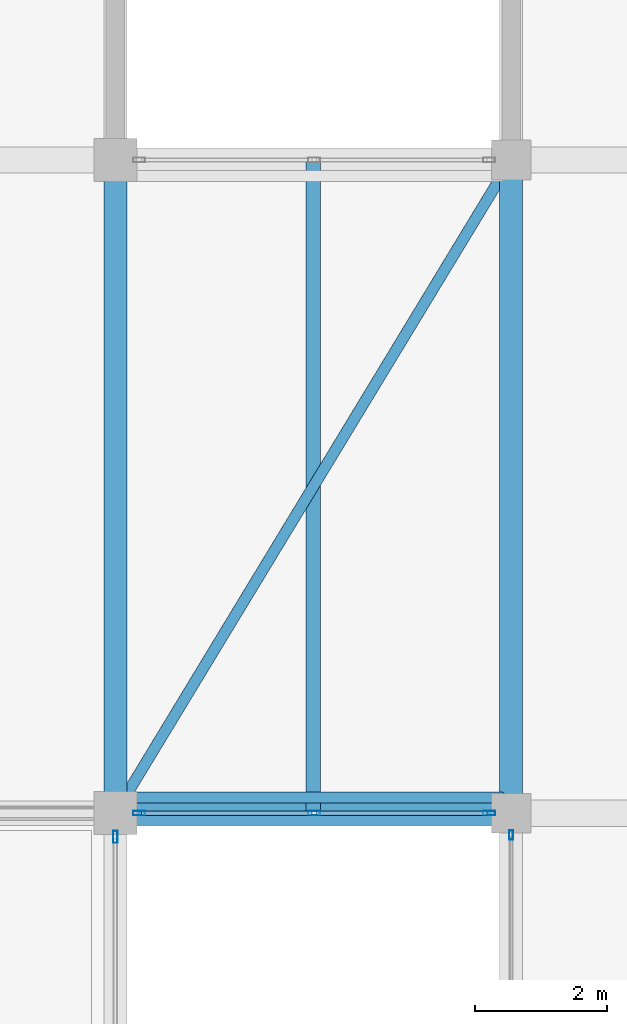
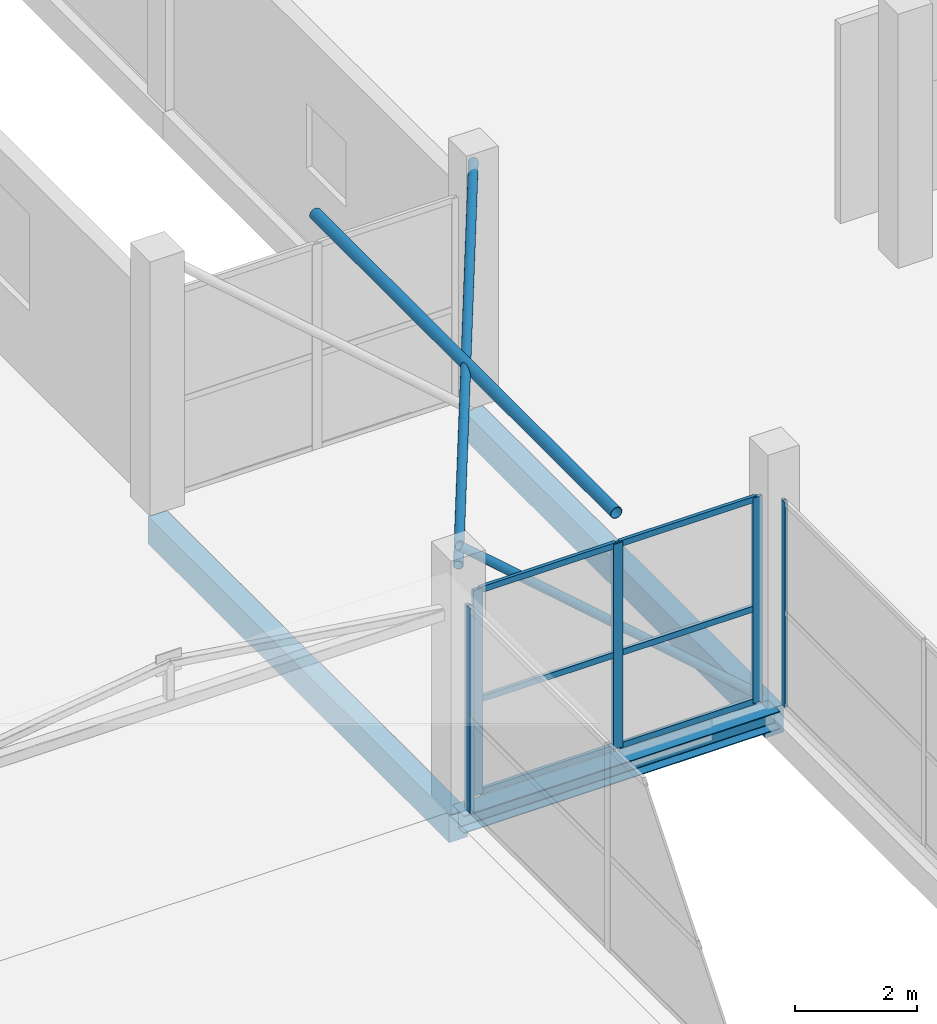
# One storey, part 35 of 66: 14 members, 3 beams, 3 elements without a shape of their own.
"""IFC4 building model written with IfcOpenShell, lengths in metres."""

from ifc_helpers import new_model, si_unit, direction, frame, origin, origin_2d, place, context, subcontext, project, spatial, rectangle, hollow_rectangle, hollow_circle, i_section, extrude, material, layer, layer_set, material_profile, profile_set, type_object, element, aggregate, save


model = new_model("IFC4")

# Units and contexts
model_context = context("Model", 3, precision=1e-05, world=origin(), true_north=direction((0.0, 1.0)))
body_context = subcontext(model_context, "Body", "Model", "MODEL_VIEW")
ifc_project = project(units=[si_unit("LENGTHUNIT", "METRE"), si_unit("AREAUNIT", "SQUARE_METRE"), si_unit("VOLUMEUNIT", "CUBIC_METRE"), si_unit("PLANEANGLEUNIT", "RADIAN"), si_unit("MASSUNIT", "GRAM", prefix="KILO")], contexts=[model_context])

# Site, building, storey
site_placement = place(None, origin())
site = spatial("IfcSite", under=ifc_project, at=site_placement, CompositionType="ELEMENT")
building_placement = place(site_placement, origin())
building = spatial("IfcBuilding", under=site, at=building_placement, Name="Sillaruma Civic Art Gallery", CompositionType="ELEMENT")
storey_placement = place(building_placement, frame((0.0, 0.0, 57.1201171875)))
storey = spatial("IfcBuildingStorey", under=building, at=storey_placement, Name="L11", CompositionType="ELEMENT", Elevation=57.1201171875)

# Beams
ifc_material_1 = material(Name="Structural Steel ASTM A992 Gr.50", Category="steel")
ifc_material_profile_1 = material_profile(ifc_material_1, i_section(OverallWidth=0.368896484375, OverallDepth=0.35595703125, WebThickness=0.01123046875, FlangeThickness=0.01806640625, FilletRadius=0.014892578125, at=origin_2d()), Name="W360x134")
ifc_profile_set_1 = profile_set([ifc_material_profile_1], Name="Structural Steel ASTM A992 Gr.50")
beam_type_1 = type_object("IfcBeamType", Name="BM-BRIDGE-W360x134", PredefinedType="SPANDREL", material=ifc_profile_set_1)
beam_placement = place(storey_placement, frame((92.0, 69.300048828125, -0.38818359375), z_axis=(1.0, 0.0, 0.0), x_axis=(0.0, 1.0, 0.0)))
element("IfcBeam", 1, at=beam_placement, inside=storey, type_object=beam_type_1, Name="Sky-Bridge Steel Edge Girder (BRG-N:L11:S)", PredefinedType="SPANDREL", context=body_context, shape_type="SweptSolid", body=[
    extrude(i_section(OverallWidth=0.368896484375, OverallDepth=0.35595703125, WebThickness=0.01123046875, FlangeThickness=0.01806640625, FilletRadius=0.014892578125, at=origin_2d()), origin(), (0.0, 0.0, 1.0), 6.0),
])
ifc_material_2 = material(Name="Concrete H35 (35 MPa)", Category="concrete")
ifc_material_profile_2 = material_profile(ifc_material_2, rectangle(XDim=0.35009765625, YDim=0.550048828125, at=origin_2d()), Name="RCB350x550")
ifc_profile_set_2 = profile_set([ifc_material_profile_2], Name="Concrete H35 (35 MPa)")
beam_type_2 = type_object("IfcBeamType", Name="BM-SPANDREL-RCB350x550", PredefinedType="SPANDREL", material=ifc_profile_set_2)
for number, where, z_axis, x_axis, name in (
    (2, (92.0, 69.300048828125, -0.525146484375), (0.0, 1.0, 0.0), (-1.0, 0.0, 0.0), "Beam BS-04 (L10:K:8-9)"),
    (3, (98.0, 69.300048828125, -0.525146484375), (0.0, 1.0, 0.0), (-1.0, 0.0, 0.0), "Beam BS-04 (L10:L:8-9)"),
):
    element("IfcBeam", number, at=place(storey_placement, frame(where, z_axis=z_axis, x_axis=x_axis)), inside=storey, type_object=beam_type_2, Name=name, PredefinedType="SPANDREL", context=body_context, shape_type="SweptSolid", body=[
        extrude(rectangle(XDim=0.35009765625, YDim=0.550048828125, at=origin_2d()), origin(), (0.0, 0.0, 1.0), 9.89990234375),
    ])

# Members
ifc_material_3 = material(Name="Structural Steel ASTM A500 Gr.C", Category="steel")
ifc_material_profile_3 = material_profile(ifc_material_3, hollow_circle(Radius=0.084228515625, WallThickness=0.007080078125, at=origin_2d()), Name="CHS168.3x7.1")
ifc_profile_set_3 = profile_set([ifc_material_profile_3], Name="Structural Steel ASTM A500 Gr.C")
member_type_1 = type_object("IfcMemberType", Name="MEM-BRIDGE-BRACE", PredefinedType="BRACE", material=ifc_profile_set_3)
member_1_placement = place(storey_placement, frame((97.85009765625, 69.5400390625, -0.080078125), z_axis=(-0.752424953383, 0.0, 0.658677986217), x_axis=(0.0, -1.0, 0.0)))
element("IfcMember", 4, at=member_1_placement, inside=storey, type_object=member_type_1, Name="Sky-Bridge Elevation Truss Web Brace (BRG-N:L11:S)", PredefinedType="BRACE", context=body_context, shape_type="SweptSolid", body=[
    extrude(hollow_circle(Radius=0.084228515625, WallThickness=0.007080078125, at=origin_2d()), origin(), (0.0, 0.0, 1.0), 7.57568359375),
])
member_2_placement = place(storey_placement, frame((92.0, 69.300048828125, 4.7119140625), z_axis=(0.518305455332, 0.855195565337, 0.0), x_axis=(-0.855195565337, 0.518305455332, 0.0)))
element("IfcMember", 5, at=member_2_placement, inside=storey, type_object=member_type_1, Name="Sky-Bridge Diagonal Plan Brace (BRG-N:L12)", PredefinedType="BRACE", context=body_context, shape_type="SweptSolid", body=[
    extrude(hollow_circle(Radius=0.084228515625, WallThickness=0.007080078125, at=origin_2d()), origin(), (0.0, 0.0, 1.0), 11.576171875),
])
ifc_material_profile_4 = material_profile(ifc_material_3, hollow_circle(Radius=0.109619140625, WallThickness=0.00830078125, at=origin_2d()), Name="CHS219.1x8.2")
ifc_profile_set_4 = profile_set([ifc_material_profile_4], Name="Structural Steel ASTM A500 Gr.C")
member_type_2 = type_object("IfcMemberType", Name="MEM-BRIDGE-STRUT", PredefinedType="STRUT", material=ifc_profile_set_4)
member_3_placement = place(storey_placement, frame((95.0, 69.300048828125, 4.7119140625), z_axis=(0.0, 1.0, 0.0), x_axis=(-1.0, 0.0, 0.0)))
element("IfcMember", 6, at=member_3_placement, inside=storey, type_object=member_type_2, Name="Sky-Bridge Transverse Strut (BRG-N:L12)", PredefinedType="STRUT", context=body_context, shape_type="SweptSolid", body=[
    extrude(hollow_circle(Radius=0.109619140625, WallThickness=0.00830078125, at=origin_2d()), origin(), (0.0, 0.0, 1.0), 9.89990234375),
])

# Curtain wall, member
ifc_material_4 = material(Name="Thermally Broken Extruded Aluminium 6063-T6", Category="aluminium")
ifc_layer_1 = layer(ifc_material_4, 0.139892578125, Name="Thermally Broken Extruded Aluminium 6063-T6")
ifc_layer_set_1 = layer_set([ifc_layer_1], Name="Thermally Broken Extruded Aluminium 6063-T6")
curtain_wall_type_1 = type_object("IfcCurtainWallType", Name="CW-UNI-77", PredefinedType="NOTDEFINED", material=ifc_layer_set_1)
curtain_wall_1_placement = place(storey_placement, origin())
curtain_wall_1 = element("IfcCurtainWall", 7, at=curtain_wall_1_placement, inside=storey, type_object=curtain_wall_type_1, Name="Unitised Curtain Wall CW-77 (CW-L11-EBW-5)", PredefinedType="NOTDEFINED")
ifc_material_profile_5 = material_profile(ifc_material_4, hollow_rectangle(XDim=0.06005859375, YDim=0.139892578125, WallThickness=0.00341796875, at=origin_2d()), Name="CWM60x140")
ifc_profile_set_5 = profile_set([ifc_material_profile_5], Name="Thermally Broken Extruded Aluminium 6063-T6")
member_type_3 = type_object("IfcMemberType", Name="MEM-MUL-CWM60x140", PredefinedType="MULLION", material=ifc_profile_set_5)
member_4_placement = place(storey_placement, frame((98.0, 68.969970703125, 0.0), z_axis=(0.0, 0.0, 1.0), x_axis=(-1.0, 0.0, 0.0)))
member_4 = element("IfcMember", 8, at=member_4_placement, type_object=member_type_3, Name="CW-77 mullion 3", PredefinedType="MULLION", context=body_context, shape_type="SweptSolid", body=[
    extrude(hollow_rectangle(XDim=0.06005859375, YDim=0.139892578125, WallThickness=0.00341796875, at=origin_2d()), origin(), (0.0, 0.0, 1.0), 4.119873046875),
])
aggregate(curtain_wall_1, [member_4])

ifc_layer_2 = layer(ifc_material_4, 0.179931640625, Name="Thermally Broken Extruded Aluminium 6063-T6")
ifc_layer_set_2 = layer_set([ifc_layer_2], Name="Thermally Broken Extruded Aluminium 6063-T6")
curtain_wall_type_2 = type_object("IfcCurtainWallType", Name="CW-UNI-72", PredefinedType="NOTDEFINED", material=ifc_layer_set_2)
curtain_wall_2_placement = place(storey_placement, origin())
curtain_wall_2 = element("IfcCurtainWall", 9, at=curtain_wall_2_placement, inside=storey, type_object=curtain_wall_type_2, Name="Unitised Curtain Wall CW-72 (CW-L11-WBE-5)", PredefinedType="NOTDEFINED")
ifc_material_profile_6 = material_profile(ifc_material_4, hollow_rectangle(XDim=0.070068359375, YDim=0.179931640625, WallThickness=0.00390625, at=origin_2d()), Name="CWM70x180")
ifc_profile_set_6 = profile_set([ifc_material_profile_6], Name="Thermally Broken Extruded Aluminium 6063-T6")
member_type_4 = type_object("IfcMemberType", Name="MEM-MUL-CWM70x180", PredefinedType="MULLION", material=ifc_profile_set_6)
member_5_placement = place(storey_placement, frame((92.0, 68.93994140625, 0.0), z_axis=(0.0, 0.0, 1.0), x_axis=(-1.0, 0.0, 0.0)))
member_5 = element("IfcMember", 10, at=member_5_placement, type_object=member_type_4, Name="CW-72 mullion 3", PredefinedType="MULLION", context=body_context, shape_type="SweptSolid", body=[
    extrude(hollow_rectangle(XDim=0.070068359375, YDim=0.179931640625, WallThickness=0.00390625, at=origin_2d()), origin(), (0.0, 0.0, 1.0), 4.119873046875),
])
aggregate(curtain_wall_2, [member_5])

# Curtain wall, members
ifc_layer_3 = layer(ifc_material_4, 0.179931640625, Name="Thermally Broken Extruded Aluminium 6063-T6")
ifc_layer_set_3 = layer_set([ifc_layer_3], Name="Thermally Broken Extruded Aluminium 6063-T6")
curtain_wall_type_3 = type_object("IfcCurtainWallType", Name="CW-UNI-89", PredefinedType="NOTDEFINED", material=ifc_layer_set_3)
curtain_wall_3_placement = place(storey_placement, origin())
curtain_wall_3 = element("IfcCurtainWall", 11, at=curtain_wall_3_placement, inside=storey, type_object=curtain_wall_type_3, Name="Unitised Curtain Wall CW-89 (CW-BRG-N-L11-S)", PredefinedType="NOTDEFINED")
member_6_placement = place(storey_placement, frame((92.360107421875, 69.300048828125, 0.0), z_axis=(0.0, 0.0, 1.0), x_axis=(0.0, 1.0, 0.0)))
member_6 = element("IfcMember", 12, at=member_6_placement, type_object=member_type_4, Name="CW-89 mullion 1", PredefinedType="MULLION", context=body_context, shape_type="SweptSolid", body=[
    extrude(hollow_rectangle(XDim=0.070068359375, YDim=0.179931640625, WallThickness=0.00390625, at=origin_2d()), origin(), (0.0, 0.0, 1.0), 4.119873046875),
])
member_7_placement = place(storey_placement, frame((95.012451171875, 69.300048828125, 0.0), z_axis=(0.0, 0.0, 1.0), x_axis=(0.0, 1.0, 0.0)))
member_7 = element("IfcMember", 13, at=member_7_placement, type_object=member_type_4, Name="CW-89 mullion 2", PredefinedType="MULLION", context=body_context, shape_type="SweptSolid", body=[
    extrude(hollow_rectangle(XDim=0.070068359375, YDim=0.179931640625, WallThickness=0.00390625, at=origin_2d()), origin(), (0.0, 0.0, 1.0), 4.119873046875),
])
member_8_placement = place(storey_placement, frame((97.6650390625, 69.300048828125, 0.0), z_axis=(0.0, 0.0, 1.0), x_axis=(0.0, 1.0, 0.0)))
member_8 = element("IfcMember", 14, at=member_8_placement, type_object=member_type_4, Name="CW-89 mullion 3", PredefinedType="MULLION", context=body_context, shape_type="SweptSolid", body=[
    extrude(hollow_rectangle(XDim=0.070068359375, YDim=0.179931640625, WallThickness=0.00390625, at=origin_2d()), origin(), (0.0, 0.0, 1.0), 4.119873046875),
])
ifc_material_profile_7 = material_profile(ifc_material_4, hollow_rectangle(XDim=0.06494140625, YDim=0.1201171875, WallThickness=0.00341796875, at=origin_2d()), Name="CWT65x120")
ifc_profile_set_7 = profile_set([ifc_material_profile_7], Name="Thermally Broken Extruded Aluminium 6063-T6")
member_type_5 = type_object("IfcMemberType", Name="MEM-TRN-CWT65x120", PredefinedType="USERDEFINED", material=ifc_profile_set_7)
member_9_placement = place(storey_placement, frame((92.39501953125, 69.300048828125, 0.032470703125), z_axis=(1.0, 0.0, 0.0), x_axis=(0.0, 1.0, 0.0)))
member_9 = element("IfcMember", 15, at=member_9_placement, type_object=member_type_5, Name="CW-89 transom 1.1", ObjectType="TRANSOM", PredefinedType="USERDEFINED", context=body_context, shape_type="SweptSolid", body=[
    extrude(hollow_rectangle(XDim=0.06494140625, YDim=0.1201171875, WallThickness=0.00341796875, at=origin_2d()), origin(), (0.0, 0.0, 1.0), 2.58251953125),
])
member_10_placement = place(storey_placement, frame((92.39501953125, 69.300048828125, 1.89501953125), z_axis=(1.0, 0.0, 0.0), x_axis=(0.0, 1.0, 0.0)))
member_10 = element("IfcMember", 16, at=member_10_placement, type_object=member_type_5, Name="CW-89 transom 1.2", ObjectType="TRANSOM", PredefinedType="USERDEFINED", context=body_context, shape_type="SweptSolid", body=[
    extrude(hollow_rectangle(XDim=0.06494140625, YDim=0.1201171875, WallThickness=0.00341796875, at=origin_2d()), origin(), (0.0, 0.0, 1.0), 2.58251953125),
])
member_11_placement = place(storey_placement, frame((92.39501953125, 69.300048828125, 4.08740234375), z_axis=(1.0, 0.0, 0.0), x_axis=(0.0, 1.0, 0.0)))
member_11 = element("IfcMember", 17, at=member_11_placement, type_object=member_type_5, Name="CW-89 transom 1.3", ObjectType="TRANSOM", PredefinedType="USERDEFINED", context=body_context, shape_type="SweptSolid", body=[
    extrude(hollow_rectangle(XDim=0.06494140625, YDim=0.1201171875, WallThickness=0.00341796875, at=origin_2d()), origin(), (0.0, 0.0, 1.0), 2.58251953125),
])
member_12_placement = place(storey_placement, frame((95.047607421875, 69.300048828125, 0.032470703125), z_axis=(1.0, 0.0, 0.0), x_axis=(0.0, 1.0, 0.0)))
member_12 = element("IfcMember", 18, at=member_12_placement, type_object=member_type_5, Name="CW-89 transom 2.1", ObjectType="TRANSOM", PredefinedType="USERDEFINED", context=body_context, shape_type="SweptSolid", body=[
    extrude(hollow_rectangle(XDim=0.06494140625, YDim=0.1201171875, WallThickness=0.00341796875, at=origin_2d()), origin(), (0.0, 0.0, 1.0), 2.582275390625),
])
member_13_placement = place(storey_placement, frame((95.047607421875, 69.300048828125, 1.89501953125), z_axis=(1.0, 0.0, 0.0), x_axis=(0.0, 1.0, 0.0)))
member_13 = element("IfcMember", 19, at=member_13_placement, type_object=member_type_5, Name="CW-89 transom 2.2", ObjectType="TRANSOM", PredefinedType="USERDEFINED", context=body_context, shape_type="SweptSolid", body=[
    extrude(hollow_rectangle(XDim=0.06494140625, YDim=0.1201171875, WallThickness=0.00341796875, at=origin_2d()), origin(), (0.0, 0.0, 1.0), 2.582275390625),
])
member_14_placement = place(storey_placement, frame((95.047607421875, 69.300048828125, 4.08740234375), z_axis=(1.0, 0.0, 0.0), x_axis=(0.0, 1.0, 0.0)))
member_14 = element("IfcMember", 20, at=member_14_placement, type_object=member_type_5, Name="CW-89 transom 2.3", ObjectType="TRANSOM", PredefinedType="USERDEFINED", context=body_context, shape_type="SweptSolid", body=[
    extrude(hollow_rectangle(XDim=0.06494140625, YDim=0.1201171875, WallThickness=0.00341796875, at=origin_2d()), origin(), (0.0, 0.0, 1.0), 2.582275390625),
])
aggregate(curtain_wall_3, [member_6, member_7, member_8, member_9, member_10, member_11, member_12, member_13, member_14])

save(model, "model.ifc")
